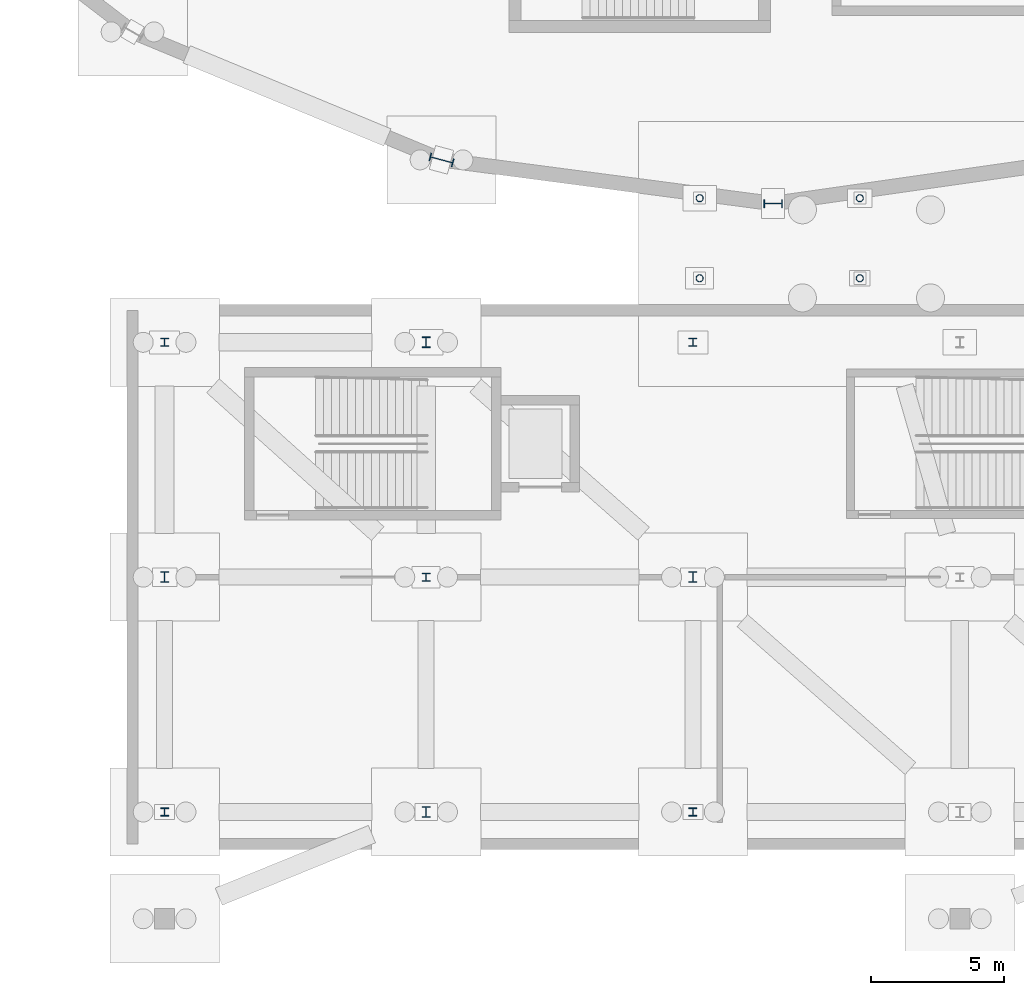
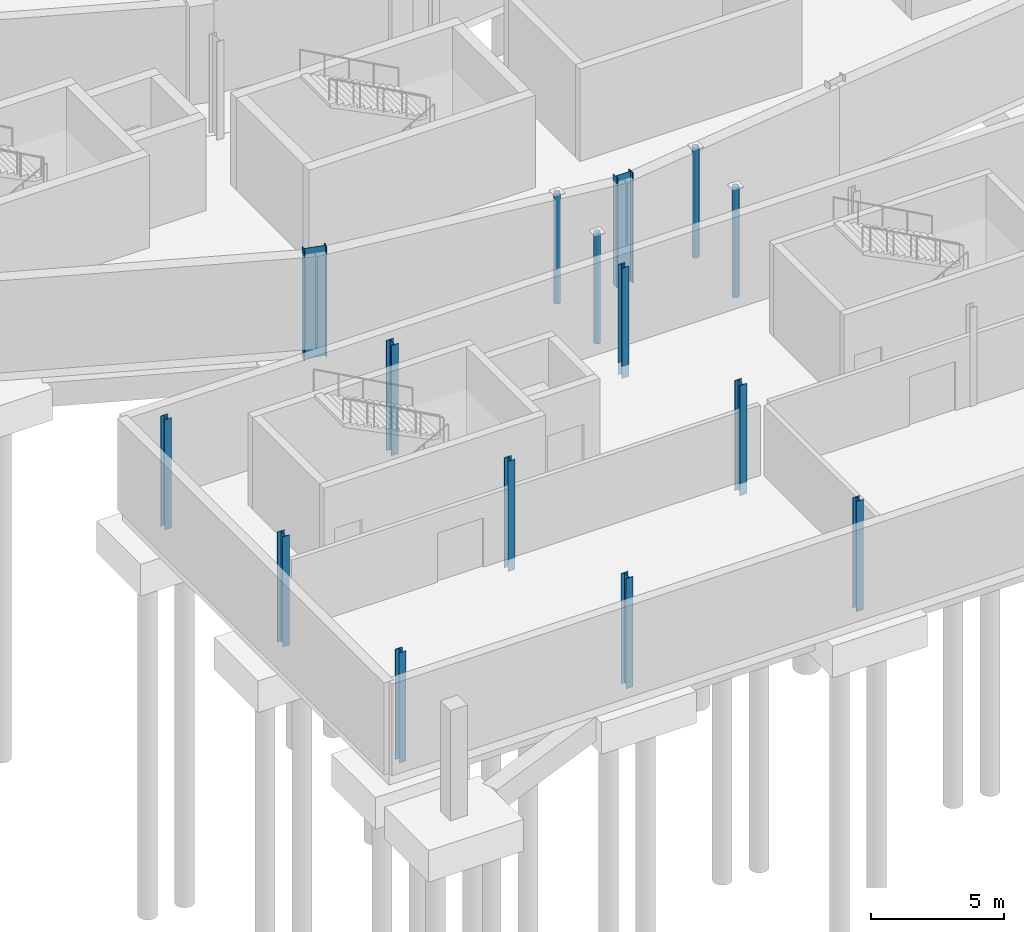
# One storey, part 11 of 55: 15 columns.
"""IFC4 building model written with IfcOpenShell, lengths in metres."""

from ifc_helpers import new_model, si_unit, direction, frame, origin, origin_2d, place, context, subcontext, project, spatial, hollow_circle, i_section, extrude, material, material_profile, profile_set, type_object, element, save


model = new_model("IFC4")

# Units and contexts
model_context = context("Model", 3, precision=1e-05, world=origin(), true_north=direction((0.0, 1.0)))
body_context = subcontext(model_context, "Body", "Model", "MODEL_VIEW")
ifc_project = project(units=[si_unit("LENGTHUNIT", "METRE"), si_unit("AREAUNIT", "SQUARE_METRE"), si_unit("VOLUMEUNIT", "CUBIC_METRE"), si_unit("PLANEANGLEUNIT", "RADIAN"), si_unit("MASSUNIT", "GRAM", prefix="KILO")], contexts=[model_context])

# Site, building, storey
site_placement = place(None, origin())
site = spatial("IfcSite", under=ifc_project, at=site_placement, CompositionType="ELEMENT")
building_placement = place(site_placement, origin())
building = spatial("IfcBuilding", under=site, at=building_placement, Name="Sohan Crest Arena", CompositionType="ELEMENT")
storey_placement = place(building_placement, frame((0.0, 0.0, -4.5)))
storey = spatial("IfcBuildingStorey", under=building, at=storey_placement, Name="B1", CompositionType="ELEMENT", Elevation=-4.5)

# Columns
ifc_material = material(Name="Steel S355", Category="steel")
ifc_material_profile_1 = material_profile(ifc_material, i_section(OverallWidth=0.300048828125, OverallDepth=0.300048828125, WebThickness=0.010986328125, FlangeThickness=0.01904296875, at=origin_2d()), Name="HEB 300")
ifc_profile_set_1 = profile_set([ifc_material_profile_1], Name="Steel S355")
column_type_1 = type_object("IfcColumnType", Name="STR-COL-C17", PredefinedType="COLUMN", material=ifc_profile_set_1)
for number, where, z_axis, x_axis, name in (
    (1, (75.199951171875, 7.199951171875, -0.550048828125), (0.0, 0.0, 1.0), (1.0, 0.0, 0.0), "Structural column COL-V5C-01-1-B1"),
    (2, (75.199951171875, 24.800048828125, -0.550048828125), (0.0, 0.0, 1.0), (1.0, 0.0, 0.0), "Structural column COL-V5C-01-3-B1"),
    (3, (85.0, 16.0, -0.550048828125), (0.0, 0.0, 1.0), (1.0, 0.0, 0.0), "Structural column COL-V5C-02-2-B1"),
    (4, (95.0, 7.199951171875, -0.550048828125), (0.0, 0.0, 1.0), (1.0, 0.0, 0.0), "Structural column COL-V5C-03-1-B1"),
    (5, (95.0, 24.800048828125, -0.550048828125), (0.0, 0.0, 1.0), (1.0, 0.0, 0.0), "Structural column COL-V5C-03-3-B1"),
):
    element("IfcColumn", number, at=place(storey_placement, frame(where, z_axis=z_axis, x_axis=x_axis)), inside=storey, type_object=column_type_1, Name=name, PredefinedType="COLUMN", context=body_context, shape_type="SweptSolid", body=[
        extrude(i_section(OverallWidth=0.300048828125, OverallDepth=0.300048828125, WebThickness=0.010986328125, FlangeThickness=0.01904296875, at=origin_2d()), origin(), (0.0, 0.0, 1.0), 5.050048828125),
    ])
ifc_material_profile_2 = material_profile(ifc_material, i_section(OverallWidth=0.300048828125, OverallDepth=0.39990234375, WebThickness=0.013427734375, FlangeThickness=0.02392578125, at=origin_2d()), Name="HEB 400")
ifc_profile_set_2 = profile_set([ifc_material_profile_2], Name="Steel S355")
column_type_2 = type_object("IfcColumnType", Name="STR-COL-C18", PredefinedType="COLUMN", material=ifc_profile_set_2)
for number, where, z_axis, x_axis, name in (
    (6, (75.199951171875, 16.0, -0.550048828125), (0.0, 0.0, 1.0), (1.0, 0.0, 0.0), "Structural column COL-V5C-01-2-B1"),
    (7, (85.0, 7.199951171875, -0.550048828125), (0.0, 0.0, 1.0), (1.0, 0.0, 0.0), "Structural column COL-V5C-02-1-B1"),
    (8, (85.0, 24.800048828125, -0.550048828125), (0.0, 0.0, 1.0), (1.0, 0.0, 0.0), "Structural column COL-V5C-02-3-B1"),
    (9, (95.0, 16.0, -0.550048828125), (0.0, 0.0, 1.0), (1.0, 0.0, 0.0), "Structural column COL-V5C-03-2-B1"),
):
    element("IfcColumn", number, at=place(storey_placement, frame(where, z_axis=z_axis, x_axis=x_axis)), inside=storey, type_object=column_type_2, Name=name, PredefinedType="COLUMN", context=body_context, shape_type="SweptSolid", body=[
        extrude(i_section(OverallWidth=0.300048828125, OverallDepth=0.39990234375, WebThickness=0.013427734375, FlangeThickness=0.02392578125, at=origin_2d()), origin(), (0.0, 0.0, 1.0), 5.050048828125),
    ])
ifc_material_profile_3 = material_profile(ifc_material, i_section(OverallWidth=0.300048828125, OverallDepth=0.699951171875, WebThickness=0.01708984375, FlangeThickness=0.031982421875, at=origin_2d()), Name="HEB 700")
ifc_profile_set_3 = profile_set([ifc_material_profile_3], Name="Steel S355")
column_type_3 = type_object("IfcColumnType", Name="STR-COL-C21", PredefinedType="COLUMN", material=ifc_profile_set_3)
column_1_placement = place(storey_placement, frame((98.0, 30.0, -0.550048828125), z_axis=(0.0, 0.0, 1.0), x_axis=(0.0, 1.0, 0.0)))
element("IfcColumn", 10, at=column_1_placement, inside=storey, type_object=column_type_3, Name="Structural column COL-V2O-13-B1", PredefinedType="COLUMN", context=body_context, shape_type="SweptSolid", body=[
    extrude(i_section(OverallWidth=0.300048828125, OverallDepth=0.699951171875, WebThickness=0.01708984375, FlangeThickness=0.031982421875, at=origin_2d()), origin(), (0.0, 0.0, 1.0), 5.050048828125),
])
ifc_material_profile_4 = material_profile(ifc_material, i_section(OverallWidth=0.300048828125, OverallDepth=0.89990234375, WebThickness=0.0185546875, FlangeThickness=0.034912109375, at=origin_2d()), Name="HEB 900")
ifc_profile_set_4 = profile_set([ifc_material_profile_4], Name="Steel S355")
column_type_4 = type_object("IfcColumnType", Name="STR-COL-C23", PredefinedType="COLUMN", material=ifc_profile_set_4)
column_2_placement = place(storey_placement, frame((85.576904296875, 31.635986328125, -0.550048828125), z_axis=(0.0, 0.0, 1.0), x_axis=(0.258819045103, 0.965925826289, 0.0)))
element("IfcColumn", 11, at=column_2_placement, inside=storey, type_object=column_type_4, Name="Structural column COL-V2O-12-B1", PredefinedType="COLUMN", context=body_context, shape_type="SweptSolid", body=[
    extrude(i_section(OverallWidth=0.300048828125, OverallDepth=0.89990234375, WebThickness=0.0185546875, FlangeThickness=0.034912109375, at=origin_2d()), origin(), (0.0, 0.0, 1.0), 5.050048828125),
])
ifc_material_profile_5 = material_profile(ifc_material, hollow_circle(Radius=0.136474609375, WallThickness=0.012451171875, at=origin_2d()), Name="CHS 273x12.5")
ifc_profile_set_5 = profile_set([ifc_material_profile_5], Name="Steel S355")
column_type_5 = type_object("IfcColumnType", Name="STR-COL-C25", PredefinedType="COLUMN", material=ifc_profile_set_5)
for number, where, z_axis, x_axis, name in (
    (12, (95.25, 27.199951171875, -0.550048828125), (0.0, 0.0, 1.0), (1.0, 0.0, 0.0), "Structural column COL-BC-BR-S1-1-B1"),
    (13, (95.25, 30.199951171875, -0.550048828125), (0.0, 0.0, 1.0), (1.0, 0.0, 0.0), "Structural column COL-BC-BR-S1-2-B1"),
    (14, (101.25, 27.199951171875, -0.550048828125), (0.0, 0.0, 1.0), (1.0, 0.0, 0.0), "Structural column COL-BC-BR-S1-3-B1"),
    (15, (101.25, 30.199951171875, -0.550048828125), (0.0, 0.0, 1.0), (1.0, 0.0, 0.0), "Structural column COL-BC-BR-S1-4-B1"),
):
    element("IfcColumn", number, at=place(storey_placement, frame(where, z_axis=z_axis, x_axis=x_axis)), inside=storey, type_object=column_type_5, Name=name, PredefinedType="COLUMN", context=body_context, shape_type="SweptSolid", body=[
        extrude(hollow_circle(Radius=0.136474609375, WallThickness=0.012451171875, at=origin_2d()), origin(), (0.0, 0.0, 1.0), 5.050048828125),
    ])

save(model, "model.ifc")
